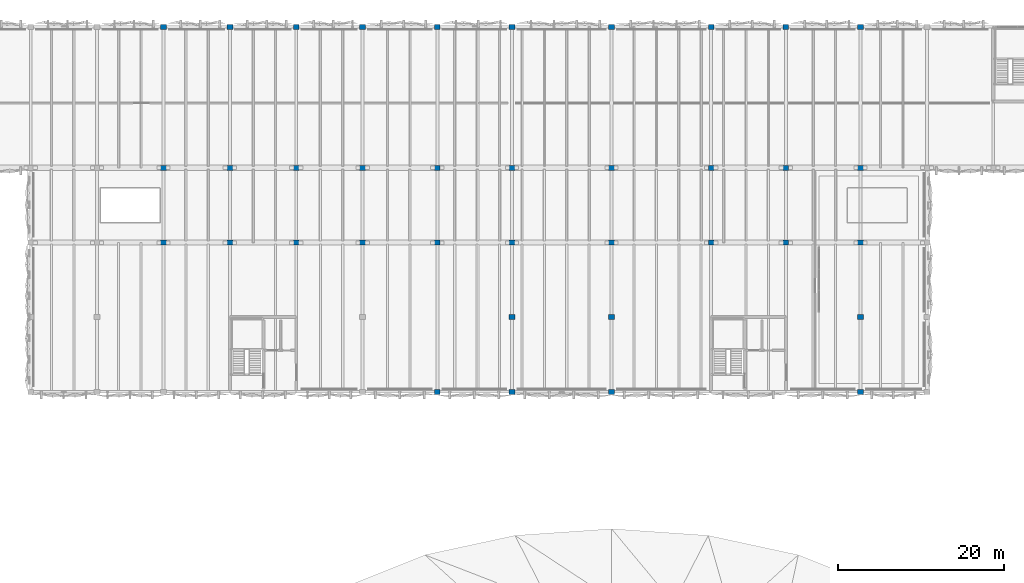
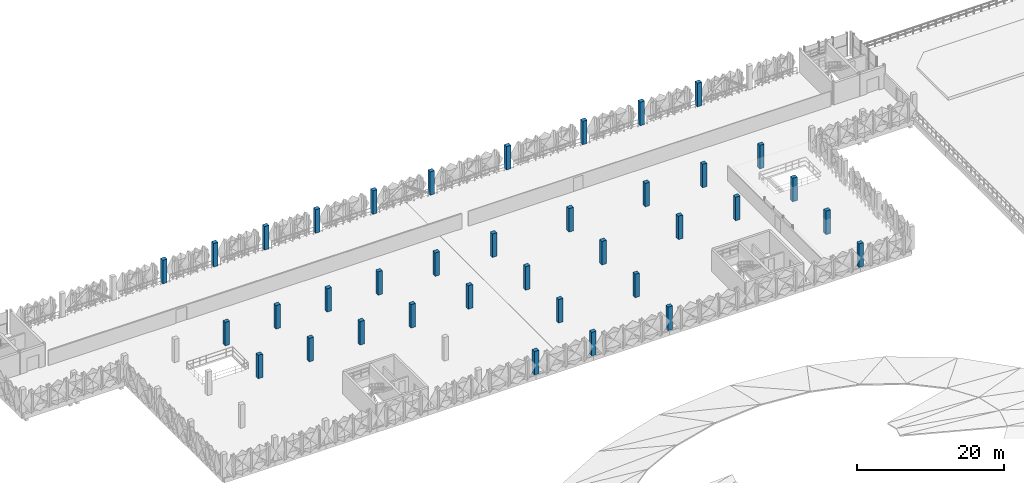
# One storey, part 3 of 52: 37 columns.
"""IFC4 building model written with IfcOpenShell, lengths in metres."""

from ifc_helpers import new_model, si_unit, derived_unit, direction, frame, origin, origin_2d, place, context, subcontext, project, spatial, rectangle, extrude, material, material_profile, profile_set, type_object, element, save


model = new_model("IFC4")

# Units and contexts
model_context = context("Model", 3, precision=1e-05, world=origin(), true_north=direction((0.0, 1.0)))
body_context = subcontext(model_context, "Body", "Model", "MODEL_VIEW")
ifc_project = project(units=[si_unit("LENGTHUNIT", "METRE"), si_unit("AREAUNIT", "SQUARE_METRE"), si_unit("VOLUMEUNIT", "CUBIC_METRE"), si_unit("PLANEANGLEUNIT", "RADIAN"), si_unit("MASSUNIT", "GRAM", prefix="KILO"), si_unit("THERMODYNAMICTEMPERATUREUNIT", "KELVIN"), derived_unit("THERMALTRANSMITTANCEUNIT", [(si_unit("POWERUNIT", "WATT"), 1), (si_unit("AREAUNIT", "SQUARE_METRE"), -1), (si_unit("THERMODYNAMICTEMPERATUREUNIT", "KELVIN"), -1)])], contexts=[model_context])

# Site, building, storey
site_placement = place(None, origin())
site = spatial("IfcSite", under=ifc_project, at=site_placement, CompositionType="ELEMENT")
building_placement = place(site_placement, origin())
building = spatial("IfcBuilding", under=site, at=building_placement, Name="Haiyu Intermodal Mobility Hub", CompositionType="ELEMENT")
storey_placement = place(building_placement, frame((0.0, 0.0, 21.199951171875)))
storey = spatial("IfcBuildingStorey", under=building, at=storey_placement, Name="L05", CompositionType="ELEMENT", Elevation=21.199951171875)

# Columns
ifc_material = material(Name="Precast concrete C40", Category="concrete")
ifc_material_profile_1 = material_profile(ifc_material, rectangle(XDim=0.699951171875, YDim=0.60009765625, at=origin_2d()), Name="C700x600")
ifc_profile_set_1 = profile_set([ifc_material_profile_1], Name="Precast concrete C40")
column_type_1 = type_object("IfcColumnType", Name="COL-CC21", PredefinedType="COLUMN", material=ifc_profile_set_1)
for number, where, z_axis, x_axis, name in (
    (1, (54.0, 122.0, 0.0), (0.0, 0.0, 1.0), (1.0, 0.0, 0.0), "Column V4-6P L05"),
    (2, (54.0, 131.0, 0.0), (0.0, 0.0, 1.0), (1.0, 0.0, 0.0), "Column V4-6Q L05"),
    (3, (62.0, 122.0, 0.0), (0.0, 0.0, 1.0), (1.0, 0.0, 0.0), "Column V4-7P L05"),
    (4, (62.0, 131.0, 0.0), (0.0, 0.0, 1.0), (1.0, 0.0, 0.0), "Column V4-7Q L05"),
    (5, (70.0, 122.0, 0.0), (0.0, 0.0, 1.0), (1.0, 0.0, 0.0), "Column V4-8P L05"),
    (6, (70.0, 131.0, 0.0), (0.0, 0.0, 1.0), (1.0, 0.0, 0.0), "Column V4-8Q L05"),
    (7, (78.0, 122.0, 0.0), (0.0, 0.0, 1.0), (1.0, 0.0, 0.0), "Column V4-9P L05"),
    (8, (78.0, 131.0, 0.0), (0.0, 0.0, 1.0), (1.0, 0.0, 0.0), "Column V4-9Q L05"),
    (9, (87.0, 122.0, 0.0), (0.0, 0.0, 1.0), (1.0, 0.0, 0.0), "Column V4-10P L05"),
    (10, (87.0, 131.0, 0.0), (0.0, 0.0, 1.0), (1.0, 0.0, 0.0), "Column V4-10Q L05"),
    (11, (96.0, 122.0, 0.0), (0.0, 0.0, 1.0), (1.0, 0.0, 0.0), "Column V4-11P L05"),
    (12, (96.0, 131.0, 0.0), (0.0, 0.0, 1.0), (1.0, 0.0, 0.0), "Column V4-11Q L05"),
    (13, (108.0, 122.0, 0.0), (0.0, 0.0, 1.0), (1.0, 0.0, 0.0), "Column V4-12P L05"),
    (14, (108.0, 131.0, 0.0), (0.0, 0.0, 1.0), (1.0, 0.0, 0.0), "Column V4-12Q L05"),
    (15, (120.0, 122.0, 0.0), (0.0, 0.0, 1.0), (1.0, 0.0, 0.0), "Column V4-13P L05"),
    (16, (120.0, 131.0, 0.0), (0.0, 0.0, 1.0), (1.0, 0.0, 0.0), "Column V4-13Q L05"),
    (17, (129.0, 122.0, 0.0), (0.0, 0.0, 1.0), (1.0, 0.0, 0.0), "Column V4-14P L05"),
    (18, (129.0, 131.0, 0.0), (0.0, 0.0, 1.0), (1.0, 0.0, 0.0), "Column V4-14Q L05"),
    (19, (138.0, 122.0, 0.0), (0.0, 0.0, 1.0), (1.0, 0.0, 0.0), "Column V4-15P L05"),
    (20, (138.0, 131.0, 0.0), (0.0, 0.0, 1.0), (1.0, 0.0, 0.0), "Column V4-15Q L05"),
    (21, (96.0, 113.0, 0.0), (0.0, 0.0, 1.0), (1.0, 0.0, 0.0), "Column V3S-11N L05"),
    (22, (108.0, 113.0, 0.0), (0.0, 0.0, 1.0), (1.0, 0.0, 0.0), "Column V3S-12N L05"),
    (23, (138.0, 113.0, 0.0), (0.0, 0.0, 1.0), (1.0, 0.0, 0.0), "Column V3S-15N L05"),
):
    element("IfcColumn", number, at=place(storey_placement, frame(where, z_axis=z_axis, x_axis=x_axis)), inside=storey, type_object=column_type_1, Name=name, PredefinedType="COLUMN", context=body_context, shape_type="SweptSolid", body=[
        extrude(rectangle(XDim=0.699951171875, YDim=0.60009765625, at=origin_2d()), origin(), (0.0, 0.0, 1.0), 3.900146484375),
    ])
ifc_material_profile_2 = material_profile(ifc_material, rectangle(XDim=0.699951171875, YDim=0.60009765625, at=origin_2d()), Name="C700x600")
ifc_profile_set_2 = profile_set([ifc_material_profile_2], Name="Precast concrete C40")
column_type_2 = type_object("IfcColumnType", Name="COL-CC21-EXT", PredefinedType="COLUMN", material=ifc_profile_set_2)
for number, where, z_axis, x_axis, name in (
    (24, (54.0, 148.0, 0.0), (0.0, 0.0, 1.0), (1.0, 0.0, 0.0), "Column V4-6S L05"),
    (25, (62.0, 148.0, 0.0), (0.0, 0.0, 1.0), (1.0, 0.0, 0.0), "Column V4-7S L05"),
    (26, (70.0, 148.0, 0.0), (0.0, 0.0, 1.0), (1.0, 0.0, 0.0), "Column V4-8S L05"),
    (27, (78.0, 148.0, 0.0), (0.0, 0.0, 1.0), (1.0, 0.0, 0.0), "Column V4-9S L05"),
    (28, (87.0, 104.0, 0.0), (0.0, 0.0, 1.0), (1.0, 0.0, 0.0), "Column V4-10M L05"),
    (29, (87.0, 148.0, 0.0), (0.0, 0.0, 1.0), (1.0, 0.0, 0.0), "Column V4-10S L05"),
    (30, (96.0, 104.0, 0.0), (0.0, 0.0, 1.0), (1.0, 0.0, 0.0), "Column V4-11M L05"),
    (31, (96.0, 148.0, 0.0), (0.0, 0.0, 1.0), (1.0, 0.0, 0.0), "Column V4-11S L05"),
    (32, (108.0, 104.0, 0.0), (0.0, 0.0, 1.0), (1.0, 0.0, 0.0), "Column V4-12M L05"),
    (33, (108.0, 148.0, 0.0), (0.0, 0.0, 1.0), (1.0, 0.0, 0.0), "Column V4-12S L05"),
    (34, (120.0, 148.0, 0.0), (0.0, 0.0, 1.0), (1.0, 0.0, 0.0), "Column V4-13S L05"),
    (35, (129.0, 148.0, 0.0), (0.0, 0.0, 1.0), (1.0, 0.0, 0.0), "Column V4-14S L05"),
    (36, (138.0, 104.0, 0.0), (0.0, 0.0, 1.0), (1.0, 0.0, 0.0), "Column V4-15M L05"),
    (37, (138.0, 148.0, 0.0), (0.0, 0.0, 1.0), (1.0, 0.0, 0.0), "Column V4-15S L05"),
):
    element("IfcColumn", number, at=place(storey_placement, frame(where, z_axis=z_axis, x_axis=x_axis)), inside=storey, type_object=column_type_2, Name=name, PredefinedType="COLUMN", context=body_context, shape_type="SweptSolid", body=[
        extrude(rectangle(XDim=0.699951171875, YDim=0.60009765625, at=origin_2d()), origin(), (0.0, 0.0, 1.0), 3.900146484375),
    ])

save(model, "model.ifc")
